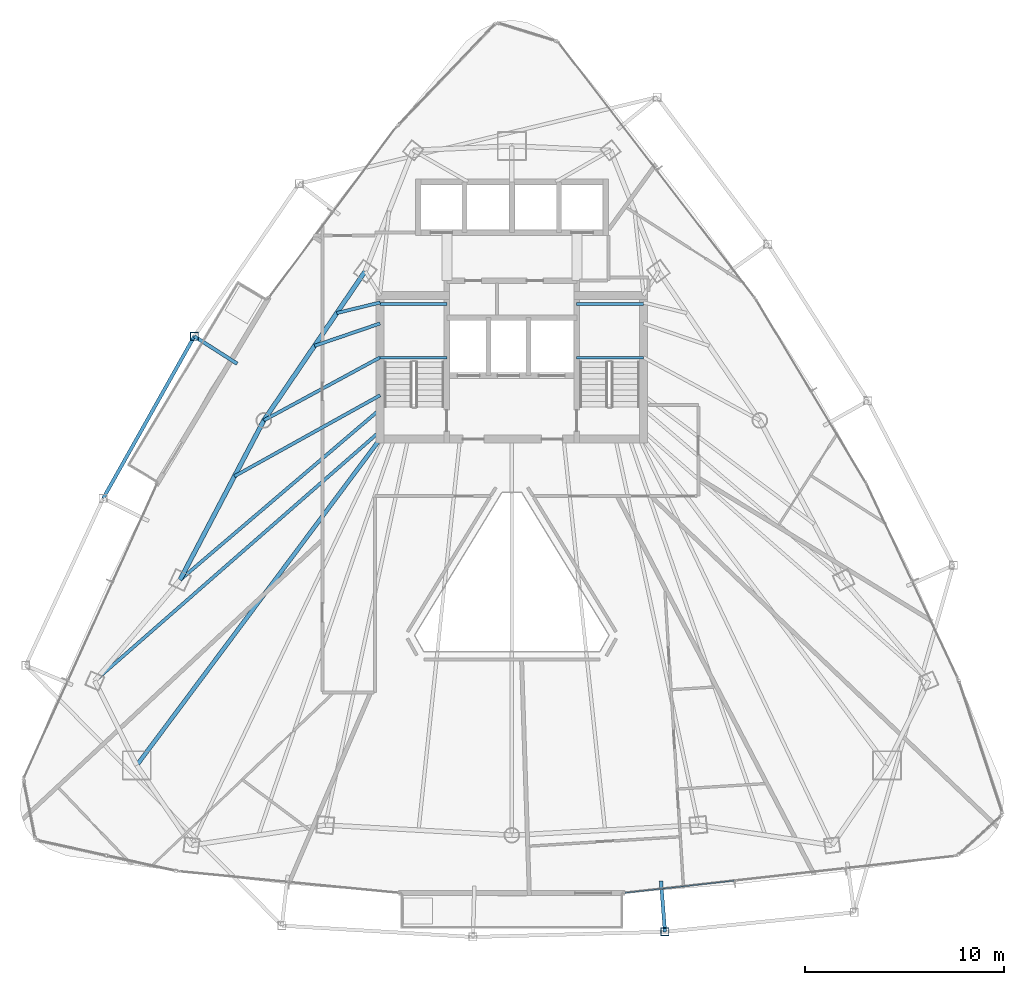
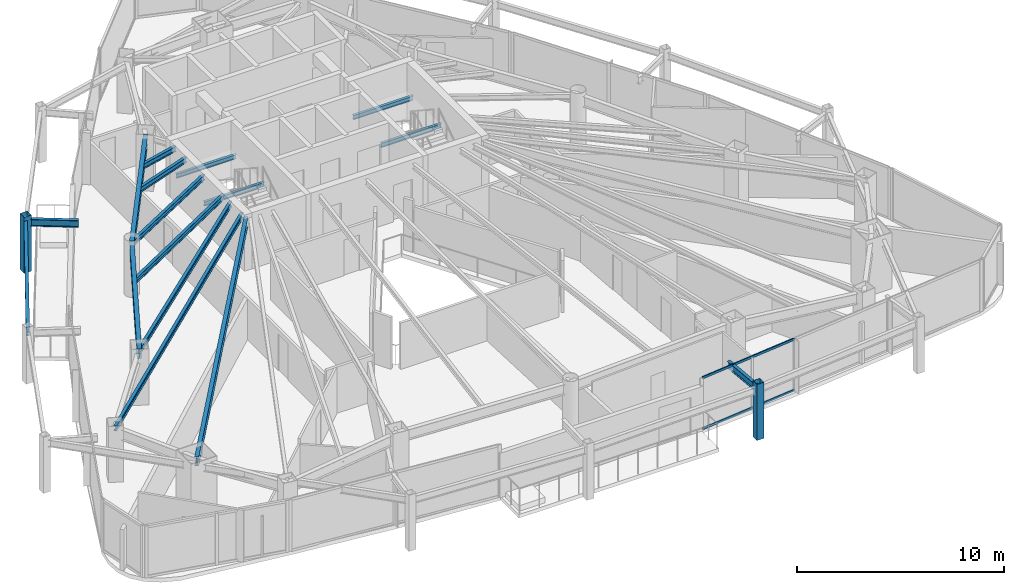
# One storey, part 11 of 29: 16 beams, 4 members, 1 element without a shape of its own.
"""IFC4 building model written with IfcOpenShell, lengths in metres."""

import ifcopenshell
import ifcopenshell.guid

model = None  # the IFC model being written
_history = None  # IfcOwnerHistory: only IFC2X3 demands one
_inside = {}  # id of a spatial element -> (the spatial element, [elements in it])
_under = {}  # id of a project, library or spatial element -> (it, [spatial elements below it])
_declared = {}  # id of a project -> (the project, [libraries it declares])
_typed = {}  # id of a type object -> (the type object, [elements of that type])
_made_of = {}  # id of a material, layer set ... -> (it, [elements and type objects made of it])


def new_model(schema):
    """Start an empty IFC model of exactly this schema.

    Asked for "IFC4X3", IfcOpenShell would pick the latest addendum, in which some entities
    have other attributes; the version numbers below select the first issue.
    IFC2X3 requires an IfcOwnerHistory on every rooted entity: one is made here for all.
    """
    global model, _history
    if schema == "IFC4X3":
        model = ifcopenshell.file(schema_version=(4, 3, 0, 0))
    else:
        model = ifcopenshell.file(schema=schema)
    _inside.clear()
    _under.clear()
    _declared.clear()
    _typed.clear()
    _made_of.clear()
    _history = None
    if model.schema == "IFC2X3":
        org = make("IfcOrganization", Name="unknown")
        user = make(
            "IfcPersonAndOrganization",
            ThePerson=make("IfcPerson", FamilyName="unknown"),
            TheOrganization=org,
        )
        app = make(
            "IfcApplication",
            ApplicationDeveloper=org,
            Version="unknown",
            ApplicationFullName="unknown",
            ApplicationIdentifier="unknown",
        )
        _history = make(
            "IfcOwnerHistory",
            OwningUser=user,
            OwningApplication=app,
            ChangeAction="ADDED",
            CreationDate=0,
        )
    return model


def make(cls, **values):
    """One entity of the class cls with the attributes given. An attribute that is None is left unset."""
    return model.create_entity(
        cls, **{name: value for name, value in values.items() if value is not None}
    )


def rooted(cls, **values):
    """An entity with a GlobalId (a new one), such as an element, a storey or a relation."""
    return make(cls, GlobalId=ifcopenshell.guid.new(), OwnerHistory=_history, **values)


def si_unit(unit_type, name, prefix=None):
    """IfcSIUnit, for example si_unit("LENGTHUNIT", "METRE", prefix="MILLI")."""
    return make("IfcSIUnit", UnitType=unit_type, Prefix=prefix, Name=name)


def assignment(units):
    """IfcUnitAssignment: the units of a project."""
    return None if units is None else make("IfcUnitAssignment", Units=units)


def point(xyz):
    """IfcCartesianPoint."""
    return None if xyz is None else make("IfcCartesianPoint", Coordinates=xyz)


def direction(xyz):
    """IfcDirection."""
    return None if xyz is None else make("IfcDirection", DirectionRatios=xyz)


def frame(location, z_axis=None, x_axis=None):
    """IfcAxis2Placement3D, a coordinate frame: its origin and axes. An axis left out is left unset."""
    return make(
        "IfcAxis2Placement3D",
        Location=point(location),
        Axis=direction(z_axis),
        RefDirection=direction(x_axis),
    )


def frame_2d(location, x_axis=None):
    """IfcAxis2Placement2D, a coordinate frame in the plane: its origin and x axis."""
    return make(
        "IfcAxis2Placement2D", Location=point(location), RefDirection=direction(x_axis)
    )


def origin():
    """The frame at (0, 0, 0) with its axes left unset."""
    return frame((0.0, 0.0, 0.0))


def origin_2d():
    """The frame at (0, 0) in the plane with its x axis left unset."""
    return frame_2d((0.0, 0.0))


def place(relative_to, where):
    """IfcLocalPlacement: puts the frame where relative to a parent placement (None: the world)."""
    return make(
        "IfcLocalPlacement", PlacementRelTo=relative_to, RelativePlacement=where
    )


def context(
    kind, dimensions, precision=None, world=None, true_north=None, identifier=None
):
    """IfcGeometricRepresentationContext, for example the 3D "Model" context."""
    return make(
        "IfcGeometricRepresentationContext",
        ContextIdentifier=identifier,
        ContextType=kind,
        CoordinateSpaceDimension=dimensions,
        Precision=precision,
        WorldCoordinateSystem=world,
        TrueNorth=true_north,
    )


def subcontext(parent, identifier, kind, view, scale=None):
    """IfcGeometricRepresentationSubContext, for example "Body" below "Model"."""
    return make(
        "IfcGeometricRepresentationSubContext",
        ContextIdentifier=identifier,
        ContextType=kind,
        ParentContext=parent,
        TargetScale=scale,
        TargetView=view,
    )


def project(units=None, contexts=None):
    """IfcProject with its units and contexts."""
    return rooted(
        "IfcProject",
        Name="project",
        RepresentationContexts=contexts,
        UnitsInContext=assignment(units),
    )


def spatial(cls, under=None, at=None, **own):
    """A site, building, storey or space (cls), placed at a placement, below another one or the project."""
    s = rooted(cls, ObjectPlacement=at, **own)
    if under is not None:
        _under.setdefault(under.id(), (under, []))[1].append(s)
    return s


def profile(cls, at=None, kind="AREA", **sizes):
    """A parametric profile (cls). Its sizes go by their IFC names, for example OverallWidth=200.0."""
    return make(cls, ProfileType=kind, Position=at, **sizes)


def hollow_rectangle(**sizes):
    """IfcRectangleHollowProfileDef."""
    return profile("IfcRectangleHollowProfileDef", **sizes)


def i_section(**sizes):
    """IfcIShapeProfileDef."""
    return profile("IfcIShapeProfileDef", **sizes)


def extrude(swept, where, along, depth):
    """IfcExtrudedAreaSolid: the profile swept, set in the frame where, extruded along a direction by depth."""
    return make(
        "IfcExtrudedAreaSolid",
        SweptArea=swept,
        Position=where,
        ExtrudedDirection=direction(along),
        Depth=depth,
    )


def shape(context_of_items, identifier, shape_type, items):
    """IfcShapeRepresentation: the items that make up one representation, for example the "Body"."""
    return make(
        "IfcShapeRepresentation",
        ContextOfItems=context_of_items,
        RepresentationIdentifier=identifier,
        RepresentationType=shape_type,
        Items=items,
    )


def material(Name=None, Category=None):
    """IfcMaterial."""
    return make("IfcMaterial", Name=Name, Category=Category)


def layer(
    of_material, thickness, ventilated=None, Name=None, Category=None, Priority=None
):
    """IfcMaterialLayer: one layer of a wall or slab, of a material (None: an air gap)."""
    return make(
        "IfcMaterialLayer",
        Material=of_material,
        LayerThickness=thickness,
        IsVentilated=ventilated,
        Name=Name,
        Category=Category,
        Priority=Priority,
    )


def layer_set(layers, Name=None):
    """IfcMaterialLayerSet."""
    return make("IfcMaterialLayerSet", MaterialLayers=layers, LayerSetName=Name)


def material_profile(
    of_material, cross_section, Name=None, Category=None, Priority=None
):
    """IfcMaterialProfile: a cross section and its material."""
    return make(
        "IfcMaterialProfile",
        Name=Name,
        Material=of_material,
        Profile=cross_section,
        Priority=Priority,
        Category=Category,
    )


def profile_set(profiles, Name=None, composite=None):
    """IfcMaterialProfileSet."""
    return make(
        "IfcMaterialProfileSet",
        Name=Name,
        MaterialProfiles=profiles,
        CompositeProfile=composite,
    )


def made_of(thing, what):
    """Note that an element or type object is made of a material, layer set ...; save() writes the relation."""
    if what is not None:
        _made_of.setdefault(what.id(), (what, []))[1].append(thing)
    return thing


def type_object(cls, material=None, **own):
    """A type object (cls), such as IfcWallType, which elements share."""
    return made_of(rooted(cls, **own), material)


def element(
    cls,
    number,
    at=None,
    inside=None,
    cuts=None,
    type_object=None,
    material=None,
    context=None,
    identifier="Body",
    shape_type=None,
    held_by="IfcProductDefinitionShape",
    body=None,
    shapes=None,
    **own,
):
    """One element of the class cls, such as IfcWall. Its Tag is "e" and its number.

    at: its placement. inside: the storey or other place that contains it. cuts: it is an
    opening in that element (IfcRelVoidsElement). A single representation is given by context,
    identifier, shape_type and body (its items); several are given by shapes. held_by: the class
    of the entity that holds the representations. save() writes the other relations.
    """
    e = rooted(cls, Tag="e%d" % number, ObjectPlacement=at, **own)
    if body is not None:
        shapes = [shape(context, identifier, shape_type, body)]
    if shapes is not None:
        e.Representation = make(held_by, Representations=shapes)
    if inside is not None:
        _inside.setdefault(inside.id(), (inside, []))[1].append(e)
    if cuts is not None:
        rooted(
            "IfcRelVoidsElement", RelatingBuildingElement=cuts, RelatedOpeningElement=e
        )
    if type_object is not None:
        _typed.setdefault(type_object.id(), (type_object, []))[1].append(e)
    return made_of(e, material)


def aggregate(whole, parts):
    """IfcRelAggregates: a whole, such as a stair, and the parts it consists of."""
    return rooted("IfcRelAggregates", RelatingObject=whole, RelatedObjects=parts)


def save(model, path):
    """Write the relations noted so far, then the file.

    IfcRelAggregates (storeys below a building ...), IfcRelContainedInSpatialStructure (elements
    in a storey), IfcRelDefinesByType, IfcRelAssociatesMaterial and IfcRelDeclares: one each for
    every whole, place, type object, material and project.
    """
    for whole, parts in _under.values():
        aggregate(whole, parts)
    for where, things in _inside.values():
        rooted(
            "IfcRelContainedInSpatialStructure",
            RelatedElements=things,
            RelatingStructure=where,
        )
    for kind, things in _typed.values():
        rooted("IfcRelDefinesByType", RelatedObjects=things, RelatingType=kind)
    for what, things in _made_of.values():
        rooted("IfcRelAssociatesMaterial", RelatedObjects=things, RelatingMaterial=what)
    for by, libraries in _declared.values():
        rooted("IfcRelDeclares", RelatingContext=by, RelatedDefinitions=libraries)
    model.write(path)


model = new_model("IFC4")

# Units and contexts
model_context = context("Model", 3, precision=1e-05, world=origin(), true_north=direction((0.0, 1.0)))
body_context = subcontext(model_context, "Body", "Model", "MODEL_VIEW")
ifc_project = project(units=[si_unit("LENGTHUNIT", "METRE"), si_unit("AREAUNIT", "SQUARE_METRE"), si_unit("VOLUMEUNIT", "CUBIC_METRE"), si_unit("PLANEANGLEUNIT", "RADIAN"), si_unit("MASSUNIT", "GRAM", prefix="KILO")], contexts=[model_context])

# Site, building, storey
site_placement = place(None, origin())
site = spatial("IfcSite", under=ifc_project, at=site_placement, CompositionType="ELEMENT")
building_placement = place(site_placement, origin())
building = spatial("IfcBuilding", under=site, at=building_placement, Name="Orvanel Arch Residences", CompositionType="ELEMENT")
storey_placement = place(building_placement, frame((0.0, 0.0, 170.449951171875)))
storey = spatial("IfcBuildingStorey", under=building, at=storey_placement, Name="L48", CompositionType="ELEMENT", Elevation=170.449951171875)

# Beams
ifc_material_1 = material(Name="Structural steel AS/NZS 3679.1 Grade 300 (300 MPa)", Category="steel")
ifc_material_profile_1 = material_profile(ifc_material_1, i_section(OverallWidth=0.208984375, OverallDepth=0.532958984375, WebThickness=0.01025390625, FlangeThickness=0.015625, at=origin_2d()), Name="530UB92.4")
ifc_profile_set_1 = profile_set([ifc_material_profile_1], Name="Structural steel AS/NZS 3679.1 Grade 300 (300 MPa)")
beam_type_1 = type_object("IfcBeamType", Name="BG-530UB", PredefinedType="BEAM", material=ifc_profile_set_1)
beam_1_placement = place(storey_placement, frame((26.375, 26.675048828125, 2.79296875), z_axis=(-0.597893733742, -0.801575375839, 0.0), x_axis=(0.801575375839, -0.597893733742, 0.0)))
element("IfcBeam", 1, at=beam_1_placement, inside=storey, type_object=beam_type_1, Name="L48 South-West Radial Girder", PredefinedType="BEAM", context=body_context, shape_type="SweptSolid", body=[
    extrude(i_section(OverallWidth=0.208984375, OverallDepth=0.532958984375, WebThickness=0.01025390625, FlangeThickness=0.015625, at=origin_2d()), origin(), (0.0, 0.0, 1.0), 20.36474609375),
])
ifc_material_profile_2 = material_profile(ifc_material_1, i_section(OverallWidth=0.14599609375, OverallDepth=0.251953125, WebThickness=0.006103515625, FlangeThickness=0.008544921875, at=origin_2d()), Name="250UB31.4")
ifc_profile_set_2 = profile_set([ifc_material_profile_2], Name="Structural steel AS/NZS 3679.1 Grade 300 (300 MPa)")
beam_type_2 = type_object("IfcBeamType", Name="BJ-250UB", PredefinedType="JOIST", material=ifc_profile_set_2)
for number, where, z_axis, x_axis, name in (
    (2, (26.39990234375, 30.780029296875, 1.323974609375), (1.0, 0.0, 0.0), (0.0, 1.0, 0.0), "L48 ST-1 Half-Landing Support Beam 1.1"),
    (3, (26.39990234375, 33.47998046875, 1.323974609375), (1.0, 0.0, 0.0), (0.0, 1.0, 0.0), "L48 ST-1 Half-Landing Support Beam 1.2"),
    (4, (36.25, 30.780029296875, 1.323974609375), (1.0, 0.0, 0.0), (0.0, 1.0, 0.0), "L48 ST-2 Half-Landing Support Beam 1.1"),
    (5, (36.25, 33.47998046875, 1.323974609375), (1.0, 0.0, 0.0), (0.0, 1.0, 0.0), "L48 ST-2 Half-Landing Support Beam 1.2"),
):
    element("IfcBeam", number, at=place(storey_placement, frame(where, z_axis=z_axis, x_axis=x_axis)), inside=storey, type_object=beam_type_2, Name=name, PredefinedType="JOIST", context=body_context, shape_type="SweptSolid", body=[
        extrude(i_section(OverallWidth=0.14599609375, OverallDepth=0.251953125, WebThickness=0.006103515625, FlangeThickness=0.008544921875, at=origin_2d()), origin(), (0.0, 0.0, 1.0), 3.35009765625),
    ])
ifc_material_profile_3 = material_profile(ifc_material_1, i_section(OverallWidth=0.1650390625, OverallDepth=0.303955078125, WebThickness=0.006103515625, FlangeThickness=0.01025390625, at=origin_2d()), Name="310UB40.4")
ifc_profile_set_3 = profile_set([ifc_material_profile_3], Name="Structural steel AS/NZS 3679.1 Grade 300 (300 MPa)")
beam_type_3 = type_object("IfcBeamType", Name="BJ-310UB", PredefinedType="JOIST", material=ifc_profile_set_3)
beam_2_placement = place(storey_placement, frame((26.39990234375, 30.800048828125, 2.907958984375), z_axis=(-0.87925534649, -0.476350748576, 0.0), x_axis=(0.476350748576, -0.87925534649, 0.0)))
element("IfcBeam", 6, at=beam_2_placement, inside=storey, type_object=beam_type_3, Name="L48 NW Wing Floor Joist", PredefinedType="JOIST", context=body_context, shape_type="SweptSolid", body=[
    extrude(i_section(OverallWidth=0.1650390625, OverallDepth=0.303955078125, WebThickness=0.006103515625, FlangeThickness=0.01025390625, at=origin_2d()), origin(), (0.0, 0.0, 1.0), 6.631591796875),
])
beam_3_placement = place(storey_placement, frame((26.39990234375, 28.199951171875, 2.907958984375), z_axis=(-0.760821315761, -0.648961420644, 0.0), x_axis=(0.648961420644, -0.760821315761, 0.0)))
element("IfcBeam", 7, at=beam_3_placement, inside=storey, type_object=beam_type_3, Name="L48 W Wing Floor Joist", PredefinedType="JOIST", context=body_context, shape_type="SweptSolid", body=[
    extrude(i_section(OverallWidth=0.1650390625, OverallDepth=0.303955078125, WebThickness=0.006103515625, FlangeThickness=0.01025390625, at=origin_2d()), origin(), (0.0, 0.0, 1.0), 13.18701171875),
])
beam_4_placement = place(storey_placement, frame((26.39990234375, 32.5, 2.907958984375), z_axis=(-0.946441958332, -0.322873999431, 0.0), x_axis=(0.322873999431, -0.946441958332, 0.0)))
element("IfcBeam", 8, at=beam_4_placement, inside=storey, type_object=beam_type_3, Name="L48 WNW Wing Floor Joist", PredefinedType="JOIST", context=body_context, shape_type="SweptSolid", body=[
    extrude(i_section(OverallWidth=0.1650390625, OverallDepth=0.303955078125, WebThickness=0.006103515625, FlangeThickness=0.01025390625, at=origin_2d()), origin(), (0.0, 0.0, 1.0), 3.478271484375),
])
beam_5_placement = place(storey_placement, frame((26.39990234375, 27.10009765625, 2.907958984375), z_axis=(-0.752493154183, -0.658600070534, 0.0), x_axis=(0.658600070534, -0.752493154183, 0.0)))
element("IfcBeam", 9, at=beam_5_placement, inside=storey, type_object=beam_type_3, Name="L48 MW Wing Floor Joist", PredefinedType="JOIST", context=body_context, shape_type="SweptSolid", body=[
    extrude(i_section(OverallWidth=0.1650390625, OverallDepth=0.303955078125, WebThickness=0.006103515625, FlangeThickness=0.01025390625, at=origin_2d()), origin(), (0.0, 0.0, 1.0), 19.010009765625),
])
beam_6_placement = place(storey_placement, frame((26.39990234375, 28.89990234375, 2.907958984375), z_axis=(-0.87404697606, -0.485841418202, 0.0), x_axis=(0.485841418202, -0.87404697606, 0.0)))
element("IfcBeam", 10, at=beam_6_placement, inside=storey, type_object=beam_type_3, Name="L48 CTW Wing Floor Joist", PredefinedType="JOIST", context=body_context, shape_type="SweptSolid", body=[
    extrude(i_section(OverallWidth=0.1650390625, OverallDepth=0.303955078125, WebThickness=0.006103515625, FlangeThickness=0.01025390625, at=origin_2d()), origin(), (0.0, 0.0, 1.0), 8.354248046875),
])
beam_7_placement = place(storey_placement, frame((26.39990234375, 33.550048828125, 2.907958984375), z_axis=(-0.971638471014, -0.236471312521, 0.0), x_axis=(0.236471312521, -0.971638471014, 0.0)))
element("IfcBeam", 11, at=beam_7_placement, inside=storey, type_object=beam_type_3, Name="L48 JADD3 Wing Floor Joist", PredefinedType="JOIST", context=body_context, shape_type="SweptSolid", body=[
    extrude(i_section(OverallWidth=0.1650390625, OverallDepth=0.303955078125, WebThickness=0.006103515625, FlangeThickness=0.01025390625, at=origin_2d()), origin(), (0.0, 0.0, 1.0), 2.2373046875),
])
ifc_material_profile_4 = material_profile(ifc_material_1, i_section(OverallWidth=0.177978515625, OverallDepth=0.406005859375, WebThickness=0.0078125, FlangeThickness=0.0126953125, at=origin_2d()), Name="410UB59.7")
ifc_profile_set_4 = profile_set([ifc_material_profile_4], Name="Structural steel AS/NZS 3679.1 Grade 300 (300 MPa)")
beam_type_4 = type_object("IfcBeamType", Name="OB-410UB-EXT", PredefinedType="SPANDREL", material=ifc_profile_set_4)
beam_8_placement = place(storey_placement, frame((19.23388671875, 30.47998046875, 2.85693359375), z_axis=(-0.842563471416, 0.538597063337, 0.0), x_axis=(-0.538597063337, -0.842563471416, 0.0)))
element("IfcBeam", 12, at=beam_8_placement, inside=storey, type_object=beam_type_4, Name="L48 Outer Frame Radial Tie Beam 02", PredefinedType="SPANDREL", context=body_context, shape_type="SweptSolid", body=[
    extrude(i_section(OverallWidth=0.177978515625, OverallDepth=0.406005859375, WebThickness=0.0078125, FlangeThickness=0.0126953125, at=origin_2d()), origin(), (0.0, 0.0, 1.0), 2.54931640625),
])
beam_9_placement = place(storey_placement, frame((17.0859375, 31.85302734375, 2.85693359375), z_axis=(-0.490320919512, -0.871541964502, 0.0), x_axis=(0.871541964502, -0.490320919512, 0.0)))
element("IfcBeam", 13, at=beam_9_placement, inside=storey, type_object=beam_type_4, Name="L48 Outer Perimeter Floor Ring Beam 02", PredefinedType="SPANDREL", context=body_context, shape_type="SweptSolid", body=[
    extrude(i_section(OverallWidth=0.177978515625, OverallDepth=0.406005859375, WebThickness=0.0078125, FlangeThickness=0.0126953125, at=origin_2d()), origin(), (0.0, 0.0, 1.0), 9.322509765625),
])
beam_10_placement = place(storey_placement, frame((40.47900390625, 4.5458984375, 2.85693359375), z_axis=(0.07800658293, -0.99695284393, 0.0), x_axis=(0.99695284393, 0.07800658293, 0.0)))
element("IfcBeam", 14, at=beam_10_placement, inside=storey, type_object=beam_type_4, Name="L48 Outer Frame Radial Tie Beam 07", PredefinedType="SPANDREL", context=body_context, shape_type="SweptSolid", body=[
    extrude(i_section(OverallWidth=0.177978515625, OverallDepth=0.406005859375, WebThickness=0.0078125, FlangeThickness=0.0126953125, at=origin_2d()), origin(), (0.0, 0.0, 1.0), 2.55078125),
])
ifc_material_profile_5 = material_profile(ifc_material_1, i_section(OverallWidth=0.22900390625, OverallDepth=0.612060546875, WebThickness=0.011962890625, FlangeThickness=0.01953125, at=origin_2d()), Name="610UB125")
ifc_profile_set_5 = profile_set([ifc_material_profile_5], Name="Structural steel AS/NZS 3679.1 Grade 300 (300 MPa)")
beam_type_5 = type_object("IfcBeamType", Name="SP-610UB", PredefinedType="SPANDREL", material=ifc_profile_set_5)
beam_11_placement = place(storey_placement, frame((25.64794921875, 35.113037109375, 2.754150390625), z_axis=(-0.562154793153, -0.827032035978, 0.0), x_axis=(0.827032035978, -0.562154793153, 0.0)))
element("IfcBeam", 15, at=beam_11_placement, inside=storey, type_object=beam_type_5, Name="L48 Perimeter Spandrel Beam 17", PredefinedType="SPANDREL", context=body_context, shape_type="SweptSolid", body=[
    extrude(i_section(OverallWidth=0.22900390625, OverallDepth=0.612060546875, WebThickness=0.011962890625, FlangeThickness=0.01953125, at=origin_2d()), origin(), (0.0, 0.0, 1.0), 9.03466796875),
])
beam_12_placement = place(storey_placement, frame((20.569091796875, 27.64111328125, 2.754150390625), z_axis=(-0.465064762793, -0.885276660942, 0.0), x_axis=(0.885276660942, -0.465064762793, 0.0)))
element("IfcBeam", 16, at=beam_12_placement, inside=storey, type_object=beam_type_5, Name="L48 Perimeter Spandrel Beam 18", PredefinedType="SPANDREL", context=body_context, shape_type="SweptSolid", body=[
    extrude(i_section(OverallWidth=0.22900390625, OverallDepth=0.612060546875, WebThickness=0.011962890625, FlangeThickness=0.01953125, at=origin_2d()), origin(), (0.0, 0.0, 1.0), 9.03564453125),
])

# Members
ifc_material_2 = material(Name="Structural steel AS/NZS 1163 C450L0 (Grade 450)", Category="steel")
ifc_material_profile_6 = material_profile(ifc_material_2, hollow_rectangle(XDim=0.39990234375, YDim=0.39990234375, WallThickness=0.01611328125, at=origin_2d()), Name="SHS400x400x16")
ifc_profile_set_6 = profile_set([ifc_material_profile_6], Name="Structural steel AS/NZS 1163 C450L0 (Grade 450)")
member_type_1 = type_object("IfcMemberType", Name="ST-400SHS-EXT", PredefinedType="STRUT", material=ifc_profile_set_6)
for number, where, z_axis, x_axis, name in (
    (17, (17.0859375, 31.85302734375, 0.0), (0.0, 0.0, 1.0), (1.0, 0.0, 0.0), "L48 Outer Perimeter Frame Post 02"),
    (18, (40.677978515625, 2.0029296875, 0.0), (0.0, 0.0, 1.0), (1.0, 0.0, 0.0), "L48 Outer Perimeter Frame Post 07"),
):
    element("IfcMember", number, at=place(storey_placement, frame(where, z_axis=z_axis, x_axis=x_axis)), inside=storey, type_object=member_type_1, Name=name, PredefinedType="STRUT", context=body_context, shape_type="SweptSolid", body=[
        extrude(hollow_rectangle(XDim=0.39990234375, YDim=0.39990234375, WallThickness=0.01611328125, at=origin_2d()), origin(), (0.0, 0.0, 1.0), 3.300048828125),
    ])

# Curtain wall, members
ifc_material_3 = material(Name="Bronze-anodised aluminium AA6063-T6", Category="aluminium")
ifc_layer = layer(ifc_material_3, 0.179931640625)
ifc_layer_set = layer_set([ifc_layer], Name="Bronze-anodised aluminium AA6063-T6")
curtain_wall_type = type_object("IfcCurtainWallType", Name="CW3-MID-SYS", PredefinedType="NOTDEFINED", material=ifc_layer_set)
curtain_wall_placement = place(storey_placement, origin())
curtain_wall = element("IfcCurtainWall", 19, at=curtain_wall_placement, inside=storey, type_object=curtain_wall_type, Name="L48 CW3-MID-SYS Unitised Curtain Wall", PredefinedType="NOTDEFINED")
ifc_material_profile_7 = material_profile(ifc_material_3, hollow_rectangle(XDim=0.06005859375, YDim=0.135009765625, WallThickness=0.00390625, at=origin_2d()), Name="ALU135x60x4")
ifc_profile_set_7 = profile_set([ifc_material_profile_7], Name="Bronze-anodised aluminium AA6063-T6")
member_type_2 = type_object("IfcMemberType", Name="TRN-135x60", PredefinedType="USERDEFINED", material=ifc_profile_set_7)
member_1_placement = place(storey_placement, frame((38.66748046875, 3.954833984375, 0.030029296875), z_axis=(0.993841943427, 0.110807001069, 0.0), x_axis=(-0.110807001069, 0.993841943427, 0.0)))
member_1 = element("IfcMember", 20, at=member_1_placement, type_object=member_type_2, Name="CW-S3 transom 1.1", ObjectType="TRANSOM", PredefinedType="USERDEFINED", context=body_context, shape_type="SweptSolid", body=[
    extrude(hollow_rectangle(XDim=0.06005859375, YDim=0.135009765625, WallThickness=0.00390625, at=origin_2d()), origin(), (0.0, 0.0, 1.0), 5.4951171875),
])
member_2_placement = place(storey_placement, frame((38.66748046875, 3.954833984375, 3.030029296875), z_axis=(0.993841943427, 0.110807001069, 0.0), x_axis=(-0.110807001069, 0.993841943427, 0.0)))
member_2 = element("IfcMember", 21, at=member_2_placement, type_object=member_type_2, Name="CW-S3 transom 1.2", ObjectType="TRANSOM", PredefinedType="USERDEFINED", context=body_context, shape_type="SweptSolid", body=[
    extrude(hollow_rectangle(XDim=0.06005859375, YDim=0.135009765625, WallThickness=0.00390625, at=origin_2d()), origin(), (0.0, 0.0, 1.0), 5.4951171875),
])
aggregate(curtain_wall, [member_1, member_2])

save(model, "model.ifc")
